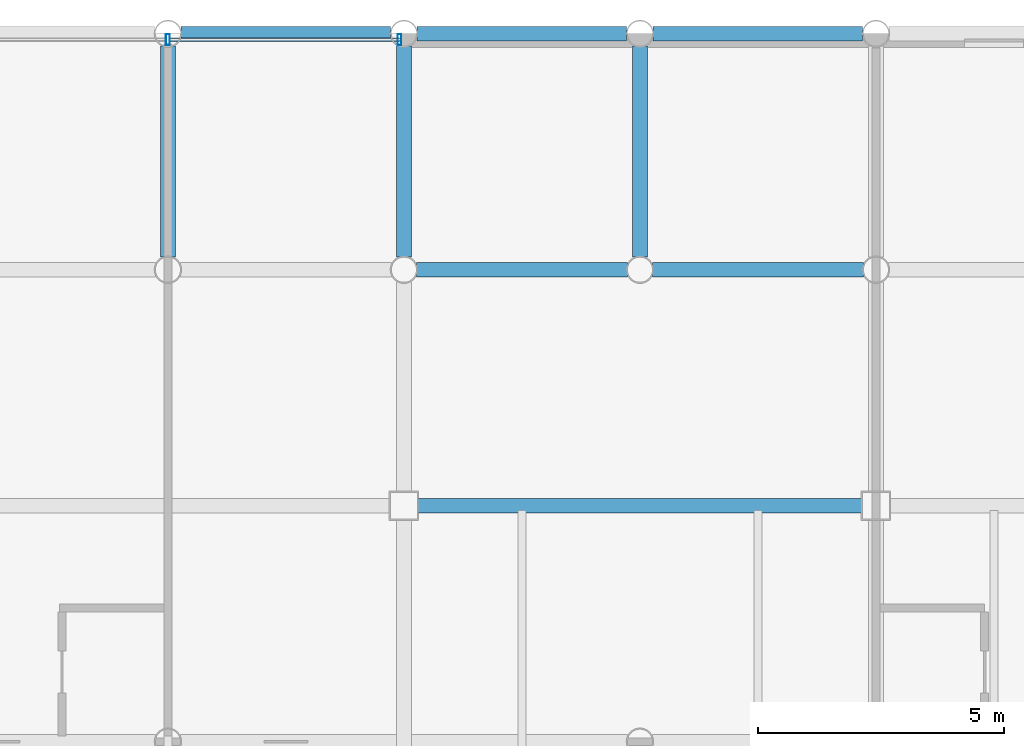
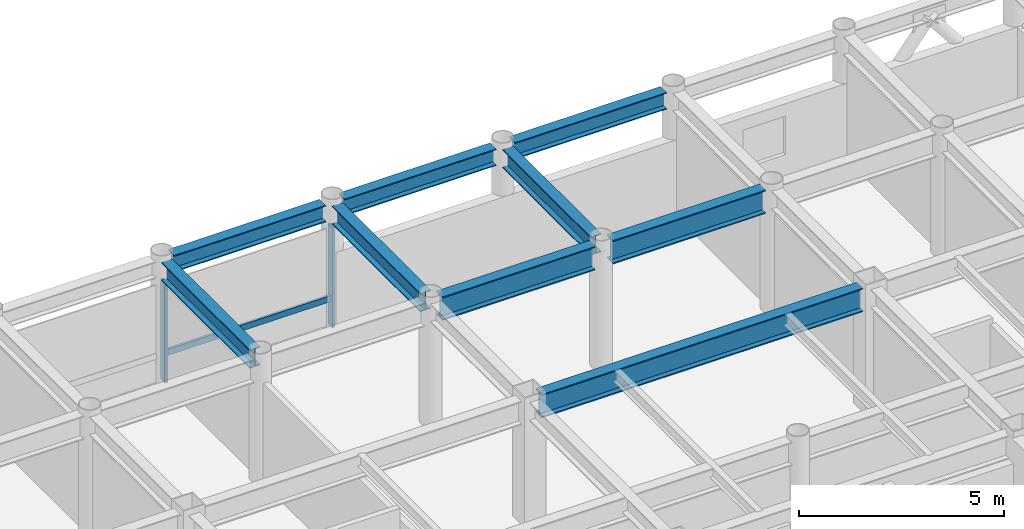
# One storey, part 15 of 22: 9 beams, 3 members, 1 element without a shape of its own.
"""IFC4 building model written with IfcOpenShell, lengths in metres."""

from ifc_helpers import new_model, si_unit, direction, frame, origin, origin_2d, place, context, subcontext, project, spatial, hollow_rectangle, i_section, extrude, material, layer, layer_set, material_profile, profile_set, type_object, element, aggregate, save


model = new_model("IFC4")

# Units and contexts
model_context = context("Model", 3, precision=1e-05, world=origin(), true_north=direction((0.0, 1.0)))
body_context = subcontext(model_context, "Body", "Model", "MODEL_VIEW")
ifc_project = project(units=[si_unit("LENGTHUNIT", "METRE"), si_unit("AREAUNIT", "SQUARE_METRE"), si_unit("VOLUMEUNIT", "CUBIC_METRE"), si_unit("PLANEANGLEUNIT", "RADIAN"), si_unit("MASSUNIT", "GRAM", prefix="KILO")], contexts=[model_context])

# Site, building, storey
site_placement = place(None, origin())
site = spatial("IfcSite", under=ifc_project, at=site_placement, CompositionType="ELEMENT")
building_placement = place(site_placement, origin())
building = spatial("IfcBuilding", under=site, at=building_placement, Name="Kallvorn Hotel Tower", CompositionType="ELEMENT")
storey_placement = place(building_placement, frame((0.0, 0.0, 256.949951171875)))
storey = spatial("IfcBuildingStorey", under=building, at=storey_placement, Name="L64", CompositionType="ELEMENT", Elevation=256.949951171875)

# Beams
ifc_material_1 = material(Name="Structural steel S355JR", Category="steel")
ifc_material_profile_1 = material_profile(ifc_material_1, i_section(OverallWidth=0.300048828125, OverallDepth=0.5, WebThickness=0.014404296875, FlangeThickness=0.028076171875, at=origin_2d()), Name="HE 500 B")
ifc_profile_set_1 = profile_set([ifc_material_profile_1], Name="Structural steel S355JR")
beam_type_1 = type_object("IfcBeamType", Name="BM_HE500B", PredefinedType="SPANDREL", material=ifc_profile_set_1)
for number, where, z_axis, x_axis, name in (
    (1, (0.26953125, 24.0, 3.420166015625), (1.0, 0.0, 0.0), (0.0, 1.0, 0.0), "L65 Perimeter Spandrel 169"),
    (2, (5.069580078125, 24.0, 3.420166015625), (1.0, 0.0, 0.0), (0.0, 1.0, 0.0), "L65 Perimeter Spandrel 170"),
):
    element("IfcBeam", number, at=place(storey_placement, frame(where, z_axis=z_axis, x_axis=x_axis)), inside=storey, type_object=beam_type_1, Name=name, PredefinedType="SPANDREL", context=body_context, shape_type="SweptSolid", body=[
        extrude(i_section(OverallWidth=0.300048828125, OverallDepth=0.5, WebThickness=0.014404296875, FlangeThickness=0.028076171875, at=origin_2d()), origin(), (0.0, 0.0, 1.0), 4.260986328125),
    ])
beam_1_placement = place(storey_placement, frame((9.869384765625, 24.0, 3.420166015625), z_axis=(1.0, 0.0, 0.0), x_axis=(0.0, 1.0, 0.0)))
element("IfcBeam", 3, at=beam_1_placement, inside=storey, type_object=beam_type_1, Name="L65 Perimeter Spandrel 171", PredefinedType="SPANDREL", context=body_context, shape_type="SweptSolid", body=[
    extrude(i_section(OverallWidth=0.300048828125, OverallDepth=0.5, WebThickness=0.014404296875, FlangeThickness=0.028076171875, at=origin_2d()), origin(), (0.0, 0.0, 1.0), 4.26123046875),
])
ifc_material_2 = material(Name="Structural steel S355JR", Category="steel")
ifc_material_profile_2 = material_profile(ifc_material_2, i_section(OverallWidth=0.300048828125, OverallDepth=0.550048828125, WebThickness=0.014892578125, FlangeThickness=0.029052734375, at=origin_2d()), Name="HE 550 B")
ifc_profile_set_2 = profile_set([ifc_material_profile_2], Name="Structural steel S355JR")
beam_type_2 = type_object("IfcBeamType", Name="BM_HE550B", PredefinedType="SPANDREL", material=ifc_profile_set_2)
for number, where, z_axis, x_axis, name in (
    (4, (0.0, 19.45458984375, 3.39501953125), (0.0, 1.0, 0.0), (-1.0, 0.0, 0.0), "L65 Primary Y-Girder 113"),
    (5, (4.800048828125, 19.45458984375, 3.39501953125), (0.0, 1.0, 0.0), (-1.0, 0.0, 0.0), "L65 Primary Y-Girder 118"),
    (6, (9.60009765625, 19.45458984375, 3.39501953125), (0.0, 1.0, 0.0), (-1.0, 0.0, 0.0), "L65 Primary Y-Girder 121"),
):
    element("IfcBeam", number, at=place(storey_placement, frame(where, z_axis=z_axis, x_axis=x_axis)), inside=storey, type_object=beam_type_2, Name=name, PredefinedType="SPANDREL", context=body_context, shape_type="SweptSolid", body=[
        extrude(i_section(OverallWidth=0.300048828125, OverallDepth=0.550048828125, WebThickness=0.014892578125, FlangeThickness=0.029052734375, at=origin_2d()), origin(), (0.0, 0.0, 1.0), 4.291015625),
    ])
ifc_material_3 = material(Name="Structural steel S355JR", Category="steel")
ifc_material_profile_3 = material_profile(ifc_material_3, i_section(OverallWidth=0.300048828125, OverallDepth=0.699951171875, WebThickness=0.01708984375, FlangeThickness=0.031982421875, at=origin_2d()), Name="HE 700 B")
ifc_profile_set_3 = profile_set([ifc_material_profile_3], Name="Structural steel S355JR")
beam_type_3 = type_object("IfcBeamType", Name="BM_HE700B", PredefinedType="BEAM", material=ifc_profile_set_3)
beam_2_placement = place(storey_placement, frame((5.074951171875, 14.39990234375, 3.320068359375), z_axis=(1.0, 0.0, 0.0), x_axis=(0.0, 1.0, 0.0)))
element("IfcBeam", 7, at=beam_2_placement, inside=storey, type_object=beam_type_3, Name="L65 Primary X-Girder 56", PredefinedType="BEAM", context=body_context, shape_type="SweptSolid", body=[
    extrude(i_section(OverallWidth=0.300048828125, OverallDepth=0.699951171875, WebThickness=0.01708984375, FlangeThickness=0.031982421875, at=origin_2d()), origin(), (0.0, 0.0, 1.0), 9.050048828125),
])
for number, where, z_axis, x_axis, name in (
    (8, (5.054443359375, 19.199951171875, 3.320068359375), (1.0, 0.0, 0.0), (0.0, 1.0, 0.0), "L65 Primary X-Girder 68"),
    (9, (9.8544921875, 19.199951171875, 3.320068359375), (1.0, 0.0, 0.0), (0.0, 1.0, 0.0), "L65 Primary X-Girder 69"),
):
    element("IfcBeam", number, at=place(storey_placement, frame(where, z_axis=z_axis, x_axis=x_axis)), inside=storey, type_object=beam_type_3, Name=name, PredefinedType="BEAM", context=body_context, shape_type="SweptSolid", body=[
        extrude(i_section(OverallWidth=0.300048828125, OverallDepth=0.699951171875, WebThickness=0.01708984375, FlangeThickness=0.031982421875, at=origin_2d()), origin(), (0.0, 0.0, 1.0), 4.291015625),
    ])

# Curtain wall, members
ifc_material_4 = material(Name="Thermally broken black-anodised aluminium AA 6063-T6", Category="aluminium")
ifc_layer = layer(ifc_material_4, 0.22998046875)
ifc_layer_set = layer_set([ifc_layer], Name="CW_SYS_5_HOTEL_HIGH")
curtain_wall_type = type_object("IfcCurtainWallType", Name="CW_SYS_5_HOTEL_HIGH", PredefinedType="USERDEFINED", material=ifc_layer_set)
curtain_wall_placement = place(storey_placement, origin())
curtain_wall = element("IfcCurtainWall", 10, at=curtain_wall_placement, inside=storey, type_object=curtain_wall_type, Name="L64 Dark-Glass Curtain Wall CW-L64-NC", ObjectType="UNITISED CURTAIN WALL", PredefinedType="USERDEFINED")
ifc_material_5 = material(Name="Thermally broken black-anodised aluminium AA 6063-T6", Category="aluminium")
ifc_material_profile_4 = material_profile(ifc_material_5, hollow_rectangle(XDim=0.080078125, YDim=0.219970703125, WallThickness=0.0048828125, at=origin_2d()), Name="MUL 220x80")
ifc_profile_set_4 = profile_set([ifc_material_profile_4], Name="Thermally broken black-anodised aluminium AA 6063-T6")
member_type_1 = type_object("IfcMemberType", Name="CW_MULLION_220x80", PredefinedType="MULLION", material=ifc_profile_set_4)
member_1_placement = place(storey_placement, frame((0.0, 23.8798828125, 0.02001953125), z_axis=(0.0, 0.0, 1.0), x_axis=(1.0, 0.0, 0.0)))
member_1 = element("IfcMember", 11, at=member_1_placement, type_object=member_type_1, Name="CW-L64-NC Mullion 01", PredefinedType="MULLION", context=body_context, shape_type="SweptSolid", body=[
    extrude(hollow_rectangle(XDim=0.080078125, YDim=0.219970703125, WallThickness=0.0048828125, at=origin_2d()), origin(), (0.0, 0.0, 1.0), 2.97998046875),
])
member_2_placement = place(storey_placement, frame((4.7099609375, 23.8798828125, 0.02001953125), z_axis=(0.0, 0.0, 1.0), x_axis=(1.0, 0.0, 0.0)))
member_2 = element("IfcMember", 12, at=member_2_placement, type_object=member_type_1, Name="CW-L64-NC Mullion 02", PredefinedType="MULLION", context=body_context, shape_type="SweptSolid", body=[
    extrude(hollow_rectangle(XDim=0.080078125, YDim=0.219970703125, WallThickness=0.0048828125, at=origin_2d()), origin(), (0.0, 0.0, 1.0), 2.97998046875),
])
ifc_material_6 = material(Name="Thermally broken black-anodised aluminium AA 6063-T6", Category="aluminium")
ifc_material_profile_5 = material_profile(ifc_material_6, hollow_rectangle(XDim=0.070068359375, YDim=0.179931640625, WallThickness=0.00390625, at=origin_2d()), Name="TRN 180x70")
ifc_profile_set_5 = profile_set([ifc_material_profile_5], Name="Thermally broken black-anodised aluminium AA 6063-T6")
member_type_2 = type_object("IfcMemberType", Name="CW_TRANSOM_180x70", PredefinedType="USERDEFINED", material=ifc_profile_set_5)
member_3_placement = place(storey_placement, frame((0.0400390625, 23.8798828125, 0.85009765625), z_axis=(1.0, 0.0, 0.0), x_axis=(0.0, 1.0, 0.0)))
member_3 = element("IfcMember", 13, at=member_3_placement, type_object=member_type_2, Name="CW-L64-NC Transom 01M", ObjectType="TRANSOM", PredefinedType="USERDEFINED", context=body_context, shape_type="SweptSolid", body=[
    extrude(hollow_rectangle(XDim=0.070068359375, YDim=0.179931640625, WallThickness=0.00390625, at=origin_2d()), origin(), (0.0, 0.0, 1.0), 4.669921875),
])
aggregate(curtain_wall, [member_1, member_2, member_3])

save(model, "model.ifc")
